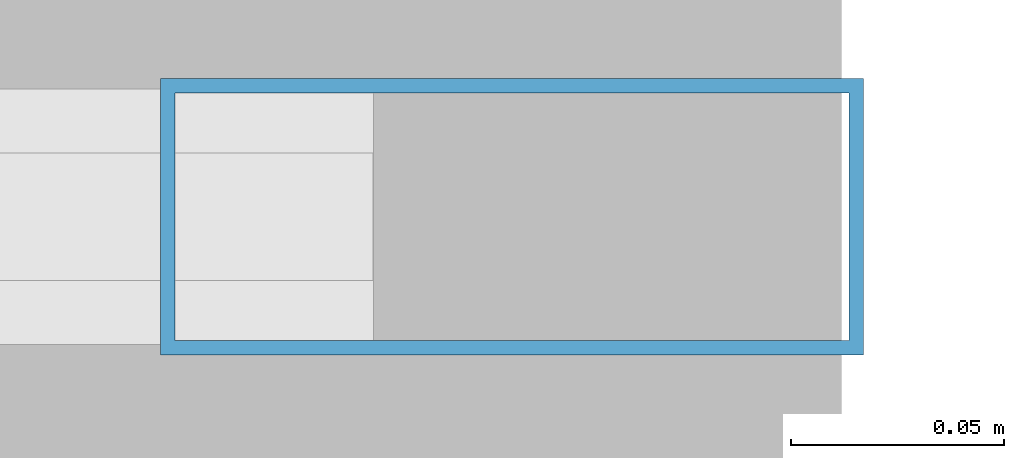
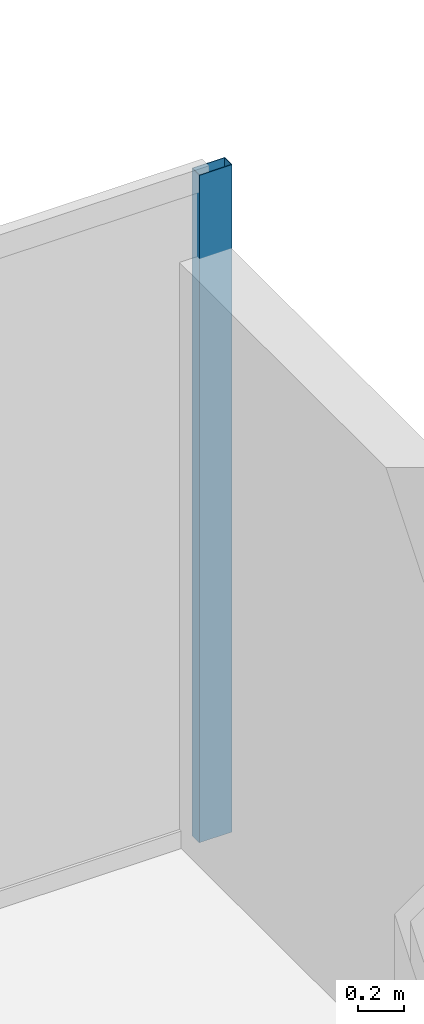
# One storey, part 26 of 34: 1 member, 1 element without a shape of its own.
"""IFC4 building model written with IfcOpenShell, lengths in metres."""

from ifc_helpers import new_model, si_unit, direction, frame, origin, origin_2d, place, context, subcontext, project, spatial, hollow_rectangle, extrude, source, transform, mapped, material, layer, layer_set, material_profile, profile_set, type_object, type_shapes, element, aggregate, save


model = new_model("IFC4")

# Units and contexts
model_context = context("Model", 3, precision=1e-05, world=origin(), true_north=direction((0.0, 1.0)))
body_context = subcontext(model_context, "Body", "Model", "MODEL_VIEW")
ifc_project = project(units=[si_unit("LENGTHUNIT", "METRE"), si_unit("AREAUNIT", "SQUARE_METRE"), si_unit("VOLUMEUNIT", "CUBIC_METRE"), si_unit("PLANEANGLEUNIT", "RADIAN"), si_unit("MASSUNIT", "GRAM", prefix="KILO")], contexts=[model_context])

# Site, building, storey
site_placement = place(None, origin())
site = spatial("IfcSite", under=ifc_project, at=site_placement, CompositionType="ELEMENT")
building_placement = place(site_placement, origin())
building = spatial("IfcBuilding", under=site, at=building_placement, Name="Varnel Quay Broadcast Tower", CompositionType="ELEMENT")
storey_placement = place(building_placement, frame((0.0, 0.0, 161.0)))
storey = spatial("IfcBuildingStorey", under=building, at=storey_placement, Name="L39", CompositionType="ELEMENT", Elevation=161.0)

# Curtain wall, member
ifc_material = material(Name="Anodised Bronze Aluminium 6063-T6", Category="aluminium")
ifc_layer = layer(ifc_material, 0.18994140625, Name="Anodised Bronze Aluminium 6063-T6")
ifc_layer_set = layer_set([ifc_layer], Name="Anodised Bronze Aluminium 6063-T6")
curtain_wall_type = type_object("IfcCurtainWallType", Name="CW_UpperTower", PredefinedType="NOTDEFINED", material=ifc_layer_set)
curtain_wall_placement = place(storey_placement, origin())
curtain_wall = element("IfcCurtainWall", 1, at=curtain_wall_placement, inside=storey, type_object=curtain_wall_type, Name="L39 NE Wing Curtain Wall", PredefinedType="NOTDEFINED")
ifc_material_profile = material_profile(ifc_material, hollow_rectangle(XDim=0.06494140625, YDim=0.1650390625, WallThickness=0.00341796875, at=origin_2d()), Name="ALU65X165X3.5")
ifc_profile_set = profile_set([ifc_material_profile], Name="Anodised Bronze Aluminium 6063-T6")
member_type = type_object("IfcMemberType", Name="Mull_CWS-03", PredefinedType="MULLION", material=ifc_profile_set)
shared_shape = source(origin(), body_context, "Body", "SweptSolid", [
    extrude(hollow_rectangle(XDim=0.06494140625, YDim=0.1650390625, WallThickness=0.00341796875, at=origin_2d()), origin(), (0.0, 0.0, 1.0), 3.550048828125),
])
type_shapes(member_type, [shared_shape])
member_placement = place(storey_placement, frame((57.447509765625, 46.64990234375, 0.0), z_axis=(0.0, 0.0, 1.0), x_axis=(0.0, 1.0, 0.0)))
member = element("IfcMember", 2, at=member_placement, type_object=member_type, Name="CWS-03 mullion 2", PredefinedType="MULLION", context=body_context, shape_type="MappedRepresentation", body=[
    mapped(shared_shape, transform((0.0, 0.0, 0.0), x_axis=(1.0, 0.0, 0.0), y_axis=(0.0, 1.0, 0.0), z_axis=(0.0, 0.0, 1.0), scale=1.0)),
])
aggregate(curtain_wall, [member])

save(model, "model.ifc")
